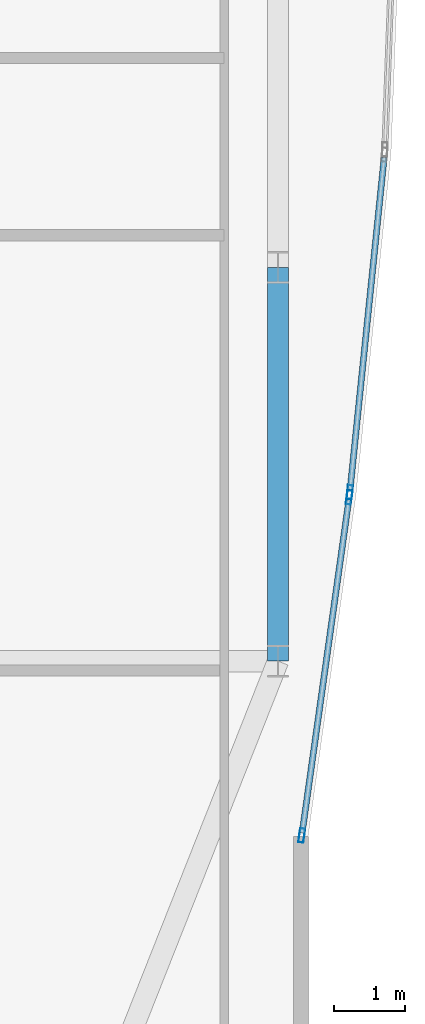
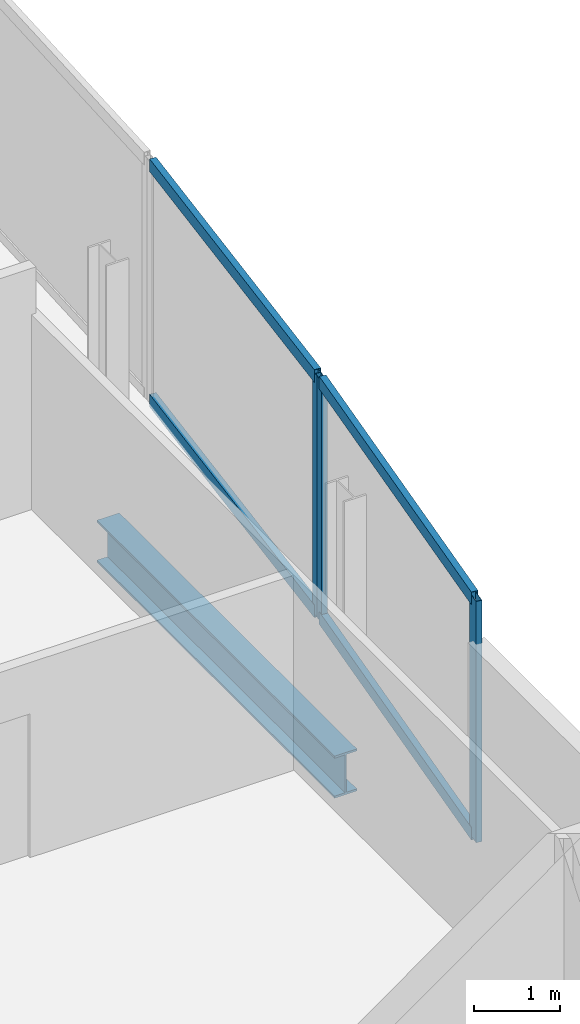
# One storey, part 18 of 32: 7 members, 1 beam, 2 elements without a shape of their own.
"""IFC4 building model written with IfcOpenShell, lengths in metres."""

from ifc_helpers import new_model, si_unit, direction, frame, origin, origin_2d, place, context, subcontext, project, spatial, hollow_rectangle, i_section, extrude, material, material_profile, profile_set, type_object, element, aggregate, save


model = new_model("IFC4")

# Units and contexts
model_context = context("Model", 3, precision=1e-05, world=origin(), true_north=direction((0.0, 1.0)))
body_context = subcontext(model_context, "Body", "Model", "MODEL_VIEW")
ifc_project = project(units=[si_unit("LENGTHUNIT", "METRE"), si_unit("AREAUNIT", "SQUARE_METRE"), si_unit("VOLUMEUNIT", "CUBIC_METRE"), si_unit("PLANEANGLEUNIT", "RADIAN"), si_unit("MASSUNIT", "GRAM", prefix="KILO")], contexts=[model_context])

# Site, building, storey
site_placement = place(None, origin())
site = spatial("IfcSite", under=ifc_project, at=site_placement, CompositionType="ELEMENT")
building_placement = place(site_placement, origin())
building = spatial("IfcBuilding", under=site, at=building_placement, Name="Khoronbel Lancet Exchange", CompositionType="ELEMENT")
storey_placement = place(building_placement, frame((0.0, 0.0, 228.199951171875)))
storey = spatial("IfcBuildingStorey", under=building, at=storey_placement, Name="L58", CompositionType="ELEMENT", Elevation=228.199951171875)

# Beam
ifc_material_1 = material(Name="Steel S355", Category="steel")
ifc_material_profile_1 = material_profile(ifc_material_1, i_section(OverallWidth=0.300048828125, OverallDepth=0.60009765625, WebThickness=0.015380859375, FlangeThickness=0.030029296875, at=origin_2d()), Name="HEB 600")
ifc_profile_set_1 = profile_set([ifc_material_profile_1], Name="Steel S355")
beam_type = type_object("IfcBeamType", Name="BM-BSP2", PredefinedType="SPANDREL", material=ifc_profile_set_1)
beam_placement = place(storey_placement, frame((65.6298828125, 19.199951171875, -0.4599609375), z_axis=(0.0, 1.0, 0.0), x_axis=(-1.0, 0.0, 0.0)))
element("IfcBeam", 1, at=beam_placement, inside=storey, type_object=beam_type, Name="Level L58 perimeter spandrel beam SP11", PredefinedType="SPANDREL", context=body_context, shape_type="SweptSolid", body=[
    extrude(i_section(OverallWidth=0.300048828125, OverallDepth=0.60009765625, WebThickness=0.015380859375, FlangeThickness=0.030029296875, at=origin_2d()), origin(), (0.0, 0.0, 1.0), 5.550048828125),
])

# Curtain wall, member
ifc_material_2 = material(Name="Low-E Solar Control Insulating Glass", Category="glass")
curtain_wall_type = type_object("IfcCurtainWallType", Name="CW-4", PredefinedType="NOTDEFINED", material=ifc_material_2)
curtain_wall_1_placement = place(storey_placement, origin())
curtain_wall_1 = element("IfcCurtainWall", 2, at=curtain_wall_1_placement, inside=storey, type_object=curtain_wall_type, Name="Unitised curtain wall CW-L58-E21", PredefinedType="NOTDEFINED")
ifc_material_3 = material(Name="Bronze-Anodised Aluminium 6063-T6", Category="aluminium")
ifc_material_profile_2 = material_profile(ifc_material_3, hollow_rectangle(XDim=0.074951171875, YDim=0.199951171875, WallThickness=0.0048828125, at=origin_2d()), Name="ALU MULLION 75x200")
ifc_profile_set_2 = profile_set([ifc_material_profile_2], Name="Bronze-Anodised Aluminium 6063-T6")
member_type_1 = type_object("IfcMemberType", Name="MEM-CWM2", PredefinedType="MULLION", material=ifc_profile_set_2)
member_1_placement = place(storey_placement, frame((66.64208984375, 21.581298828125, 0.0), z_axis=(0.0, 0.0, 1.0), x_axis=(0.994772481584, -0.102116158773, 0.0)))
member_1 = element("IfcMember", 3, at=member_1_placement, type_object=member_type_1, Name="CW4 mullion 2", PredefinedType="MULLION", context=body_context, shape_type="SweptSolid", body=[
    extrude(hollow_rectangle(XDim=0.074951171875, YDim=0.199951171875, WallThickness=0.0048828125, at=origin_2d()), origin(), (0.0, 0.0, 1.0), 3.43994140625),
])

# Curtain wall, members
curtain_wall_2_placement = place(storey_placement, origin())
curtain_wall_2 = element("IfcCurtainWall", 4, at=curtain_wall_2_placement, inside=storey, type_object=curtain_wall_type, Name="Unitised curtain wall CW-L58-E22", PredefinedType="NOTDEFINED")
member_2_placement = place(storey_placement, frame((66.633056640625, 21.507080078125, 0.0), z_axis=(0.0, 0.0, 1.0), x_axis=(0.990313393588, -0.138850215989, 0.0)))
member_2 = element("IfcMember", 5, at=member_2_placement, type_object=member_type_1, Name="CW4 mullion 1", PredefinedType="MULLION", context=body_context, shape_type="SweptSolid", body=[
    extrude(hollow_rectangle(XDim=0.074951171875, YDim=0.199951171875, WallThickness=0.0048828125, at=origin_2d()), origin(), (0.0, 0.0, 1.0), 3.43994140625),
])
member_3_placement = place(storey_placement, frame((65.965087890625, 16.743408203125, 0.0), z_axis=(0.0, 0.0, 1.0), x_axis=(0.990313393588, -0.138850215989, 0.0)))
member_3 = element("IfcMember", 6, at=member_3_placement, type_object=member_type_1, Name="CW4 mullion 2", PredefinedType="MULLION", context=body_context, shape_type="SweptSolid", body=[
    extrude(hollow_rectangle(XDim=0.074951171875, YDim=0.199951171875, WallThickness=0.0048828125, at=origin_2d()), origin(), (0.0, 0.0, 1.0), 3.43994140625),
])

# Member
ifc_material_profile_3 = material_profile(ifc_material_3, hollow_rectangle(XDim=0.0849609375, YDim=0.179931640625, WallThickness=0.0048828125, at=origin_2d()), Name="ALU TRANSOM 85x180")
ifc_profile_set_3 = profile_set([ifc_material_profile_3], Name="Bronze-Anodised Aluminium 6063-T6")
member_type_2 = type_object("IfcMemberType", Name="MEM-CWT1", PredefinedType="USERDEFINED", material=ifc_profile_set_3)
member_4_placement = place(storey_placement, frame((67.126220703125, 26.29833984375, 0.04248046875), z_axis=(-0.102082856557, -0.994775899586, 0.0), x_axis=(0.994775899586, -0.102082856557, 0.0)))
member_4 = element("IfcMember", 7, at=member_4_placement, type_object=member_type_2, Name="CW4 transom 1.1", ObjectType="TRANSOM", PredefinedType="USERDEFINED", context=body_context, shape_type="SweptSolid", body=[
    extrude(hollow_rectangle(XDim=0.0849609375, YDim=0.179931640625, WallThickness=0.0048828125, at=origin_2d()), origin(), (0.0, 0.0, 1.0), 4.704345703125),
])

member_5_placement = place(storey_placement, frame((67.126220703125, 26.29833984375, 3.3974609375), z_axis=(-0.102082856557, -0.994775899586, 0.0), x_axis=(0.994775899586, -0.102082856557, 0.0)))
member_5 = element("IfcMember", 8, at=member_5_placement, type_object=member_type_2, Name="CW4 transom 1.2", ObjectType="TRANSOM", PredefinedType="USERDEFINED", context=body_context, shape_type="SweptSolid", body=[
    extrude(hollow_rectangle(XDim=0.0849609375, YDim=0.179931640625, WallThickness=0.0048828125, at=origin_2d()), origin(), (0.0, 0.0, 1.0), 4.704345703125),
])

aggregate(curtain_wall_1, [member_1, member_4, member_5])

member_6_placement = place(storey_placement, frame((66.6279296875, 21.4697265625, 0.04248046875), z_axis=(-0.138851128463, -0.990313265651, 0.0), x_axis=(0.990313265651, -0.138851128463, 0.0)))
member_6 = element("IfcMember", 9, at=member_6_placement, type_object=member_type_2, Name="CW4 transom 1.1", ObjectType="TRANSOM", PredefinedType="USERDEFINED", context=body_context, shape_type="SweptSolid", body=[
    extrude(hollow_rectangle(XDim=0.0849609375, YDim=0.179931640625, WallThickness=0.0048828125, at=origin_2d()), origin(), (0.0, 0.0, 1.0), 4.735107421875),
])

member_7_placement = place(storey_placement, frame((66.6279296875, 21.4697265625, 3.3974609375), z_axis=(-0.138851128463, -0.990313265651, 0.0), x_axis=(0.990313265651, -0.138851128463, 0.0)))
member_7 = element("IfcMember", 10, at=member_7_placement, type_object=member_type_2, Name="CW4 transom 1.2", ObjectType="TRANSOM", PredefinedType="USERDEFINED", context=body_context, shape_type="SweptSolid", body=[
    extrude(hollow_rectangle(XDim=0.0849609375, YDim=0.179931640625, WallThickness=0.0048828125, at=origin_2d()), origin(), (0.0, 0.0, 1.0), 4.735107421875),
])

aggregate(curtain_wall_2, [member_2, member_3, member_6, member_7])

save(model, "model.ifc")
